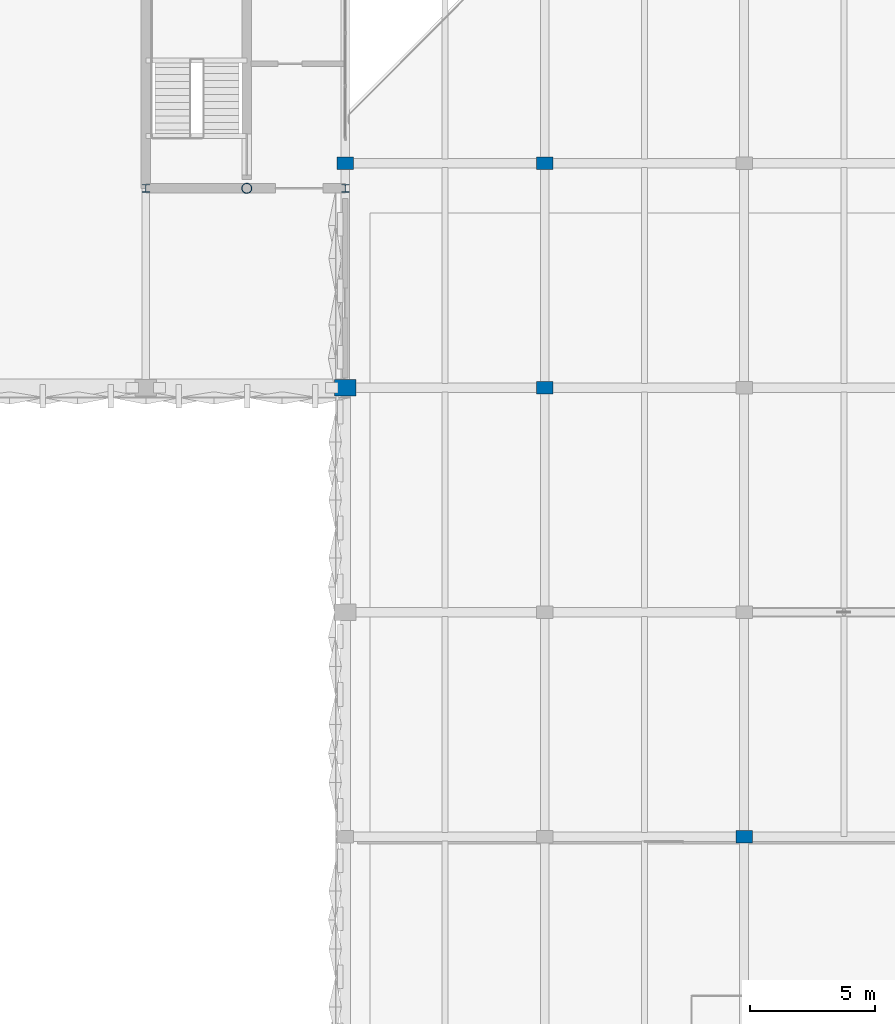
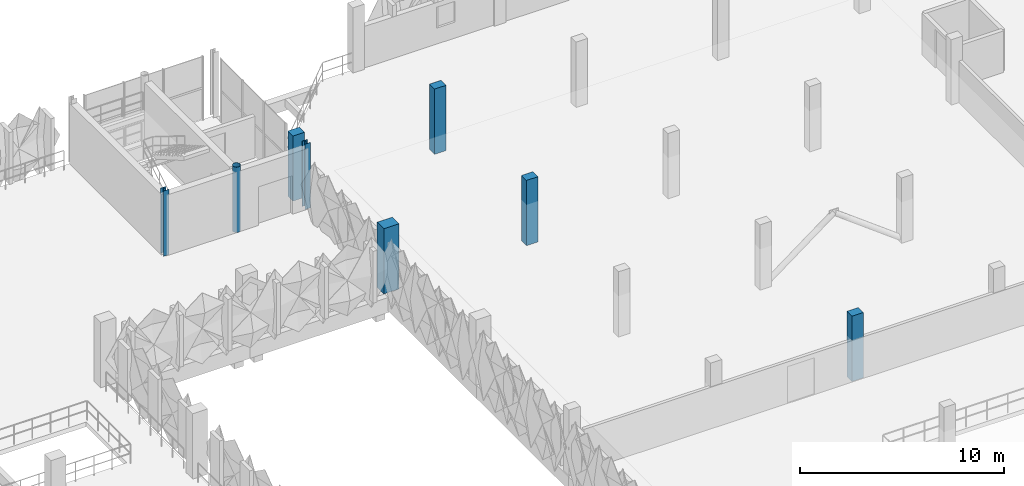
# One storey, part 5 of 83: 8 columns.
"""IFC4 building model written with IfcOpenShell, lengths in metres."""

from ifc_helpers import new_model, si_unit, derived_unit, direction, frame, origin, origin_2d, place, context, subcontext, project, spatial, rectangle, hollow_circle, i_section, extrude, material, material_profile, profile_set, type_object, element, save


model = new_model("IFC4")

# Units and contexts
model_context = context("Model", 3, precision=1e-05, world=origin(), true_north=direction((0.0, 1.0)))
body_context = subcontext(model_context, "Body", "Model", "MODEL_VIEW")
ifc_project = project(units=[si_unit("LENGTHUNIT", "METRE"), si_unit("AREAUNIT", "SQUARE_METRE"), si_unit("VOLUMEUNIT", "CUBIC_METRE"), si_unit("PLANEANGLEUNIT", "RADIAN"), si_unit("MASSUNIT", "GRAM", prefix="KILO"), si_unit("THERMODYNAMICTEMPERATUREUNIT", "KELVIN"), derived_unit("THERMALTRANSMITTANCEUNIT", [(si_unit("POWERUNIT", "WATT"), 1), (si_unit("AREAUNIT", "SQUARE_METRE"), -1), (si_unit("THERMODYNAMICTEMPERATUREUNIT", "KELVIN"), -1)])], contexts=[model_context])

# Site, building, storey
site_placement = place(None, origin())
site = spatial("IfcSite", under=ifc_project, at=site_placement, CompositionType="ELEMENT")
building_placement = place(site_placement, origin())
building = spatial("IfcBuilding", under=site, at=building_placement, Name="Haiyu Intermodal Mobility Hub", CompositionType="ELEMENT")
storey_placement = place(building_placement, frame((0.0, 0.0, 13.39990234375)))
storey = spatial("IfcBuildingStorey", under=building, at=storey_placement, Name="L03", CompositionType="ELEMENT", Elevation=13.39990234375)

# Columns
ifc_material_1 = material(Name="Precast concrete C40", Category="concrete")
ifc_material_profile_1 = material_profile(ifc_material_1, rectangle(XDim=0.85009765625, YDim=0.64990234375, at=origin_2d()), Name="RC850x650")
ifc_profile_set_1 = profile_set([ifc_material_profile_1], Name="Precast concrete C40")
column_type_1 = type_object("IfcColumnType", Name="COL-CC05-EXT", PredefinedType="COLUMN", material=ifc_profile_set_1)
column_1_placement = place(storey_placement, frame((162.0, 131.0, 0.0), z_axis=(0.0, 0.0, 1.0), x_axis=(1.0, 0.0, 0.0)))
element("IfcColumn", 1, at=column_1_placement, inside=storey, type_object=column_type_1, Name="Column V4-18Q L03", PredefinedType="COLUMN", context=body_context, shape_type="SweptSolid", body=[
    extrude(rectangle(XDim=0.85009765625, YDim=0.64990234375, at=origin_2d()), origin(), (0.0, 0.0, 1.0), 3.900146484375),
])
ifc_material_2 = material(Name="Concrete C40", Category="concrete")
ifc_material_profile_2 = material_profile(ifc_material_2, rectangle(XDim=0.64990234375, YDim=0.5, at=origin_2d()), Name="C650x500")
ifc_profile_set_2 = profile_set([ifc_material_profile_2], Name="Concrete C40")
column_type_2 = type_object("IfcColumnType", Name="COL-CC17", PredefinedType="COLUMN", material=ifc_profile_set_2)
for number, where, z_axis, x_axis, name in (
    (2, (170.0, 131.0, 0.0), (0.0, 0.0, 1.0), (1.0, 0.0, 0.0), "Column V6-19Q L03"),
    (3, (170.0, 140.0, 0.0), (0.0, 0.0, 1.0), (1.0, 0.0, 0.0), "Column V6-19R L03"),
    (4, (178.0, 113.0, 0.0), (0.0, 0.0, 1.0), (1.0, 0.0, 0.0), "Column V6-20N L03"),
):
    element("IfcColumn", number, at=place(storey_placement, frame(where, z_axis=z_axis, x_axis=x_axis)), inside=storey, type_object=column_type_2, Name=name, PredefinedType="COLUMN", context=body_context, shape_type="SweptSolid", body=[
        extrude(rectangle(XDim=0.64990234375, YDim=0.5, at=origin_2d()), origin(), (0.0, 0.0, 1.0), 3.900146484375),
    ])
ifc_material_profile_3 = material_profile(ifc_material_2, rectangle(XDim=0.64990234375, YDim=0.5, at=origin_2d()), Name="C650x500")
ifc_profile_set_3 = profile_set([ifc_material_profile_3], Name="Concrete C40")
column_type_3 = type_object("IfcColumnType", Name="COL-CC17-EXT", PredefinedType="COLUMN", material=ifc_profile_set_3)
column_2_placement = place(storey_placement, frame((162.0, 140.0, 0.0), z_axis=(0.0, 0.0, 1.0), x_axis=(1.0, 0.0, 0.0)))
element("IfcColumn", 5, at=column_2_placement, inside=storey, type_object=column_type_3, Name="Column V6-18R L03", PredefinedType="COLUMN", context=body_context, shape_type="SweptSolid", body=[
    extrude(rectangle(XDim=0.64990234375, YDim=0.5, at=origin_2d()), origin(), (0.0, 0.0, 1.0), 3.900146484375),
])
ifc_material_3 = material(Name="Steel Q355C", Category="steel")
ifc_material_profile_4 = material_profile(ifc_material_3, hollow_circle(Radius=0.202880859375, WallThickness=0.013916015625, at=origin_2d()), Name="CHS406x14")
ifc_profile_set_4 = profile_set([ifc_material_profile_4], Name="Steel Q355C")
column_type_4 = type_object("IfcColumnType", Name="COL-SC03", PredefinedType="COLUMN", material=ifc_profile_set_4)
column_3_placement = place(storey_placement, frame((158.050048828125, 139.0, 0.0), z_axis=(0.0, 0.0, 1.0), x_axis=(1.0, 0.0, 0.0)))
element("IfcColumn", 6, at=column_3_placement, inside=storey, type_object=column_type_4, Name="Column C4-MS L03", PredefinedType="COLUMN", context=body_context, shape_type="SweptSolid", body=[
    extrude(hollow_circle(Radius=0.202880859375, WallThickness=0.013916015625, at=origin_2d()), origin(), (0.0, 0.0, 1.0), 3.900146484375),
])
ifc_material_profile_5 = material_profile(ifc_material_3, i_section(OverallWidth=0.300048828125, OverallDepth=0.300048828125, WebThickness=0.010009765625, FlangeThickness=0.014892578125, FilletRadius=0.01806640625, at=origin_2d()), Name="HW300x300x10x15")
ifc_profile_set_5 = profile_set([ifc_material_profile_5], Name="Steel Q355C")
column_type_5 = type_object("IfcColumnType", Name="COL-SC07", PredefinedType="COLUMN", material=ifc_profile_set_5)
column_4_placement = place(storey_placement, frame((154.0, 139.0, 0.0), z_axis=(0.0, 0.0, 1.0), x_axis=(1.0, 0.0, 0.0)))
element("IfcColumn", 7, at=column_4_placement, inside=storey, type_object=column_type_5, Name="Column C4-SW L03", PredefinedType="COLUMN", context=body_context, shape_type="SweptSolid", body=[
    extrude(i_section(OverallWidth=0.300048828125, OverallDepth=0.300048828125, WebThickness=0.010009765625, FlangeThickness=0.014892578125, FilletRadius=0.01806640625, at=origin_2d()), origin(), (0.0, 0.0, 1.0), 3.900146484375),
])
ifc_material_profile_6 = material_profile(ifc_material_3, i_section(OverallWidth=0.300048828125, OverallDepth=0.300048828125, WebThickness=0.010009765625, FlangeThickness=0.014892578125, FilletRadius=0.01806640625, at=origin_2d()), Name="HW300x300x10x15")
ifc_profile_set_6 = profile_set([ifc_material_profile_6], Name="Steel Q355C")
column_type_6 = type_object("IfcColumnType", Name="COL-SC07-EXT", PredefinedType="COLUMN", material=ifc_profile_set_6)
column_5_placement = place(storey_placement, frame((162.0, 139.0, 0.0), z_axis=(0.0, 0.0, 1.0), x_axis=(1.0, 0.0, 0.0)))
element("IfcColumn", 8, at=column_5_placement, inside=storey, type_object=column_type_6, Name="Column C4-SE L03", PredefinedType="COLUMN", context=body_context, shape_type="SweptSolid", body=[
    extrude(i_section(OverallWidth=0.300048828125, OverallDepth=0.300048828125, WebThickness=0.010009765625, FlangeThickness=0.014892578125, FilletRadius=0.01806640625, at=origin_2d()), origin(), (0.0, 0.0, 1.0), 3.900146484375),
])

save(model, "model.ifc")
